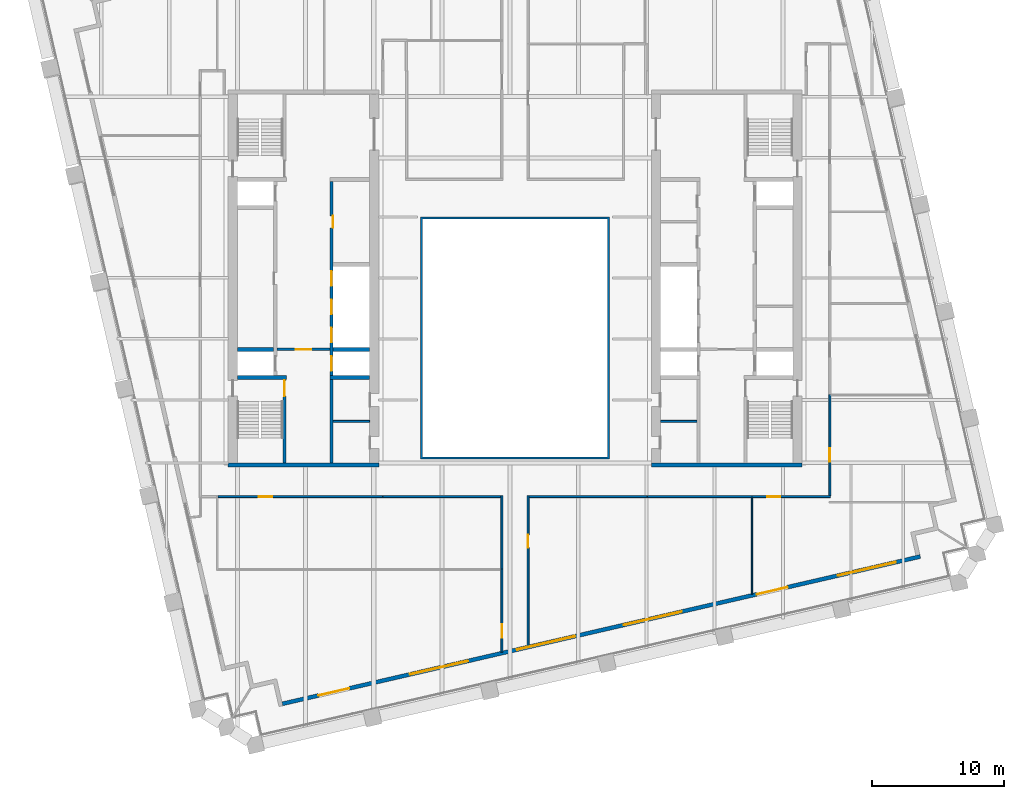
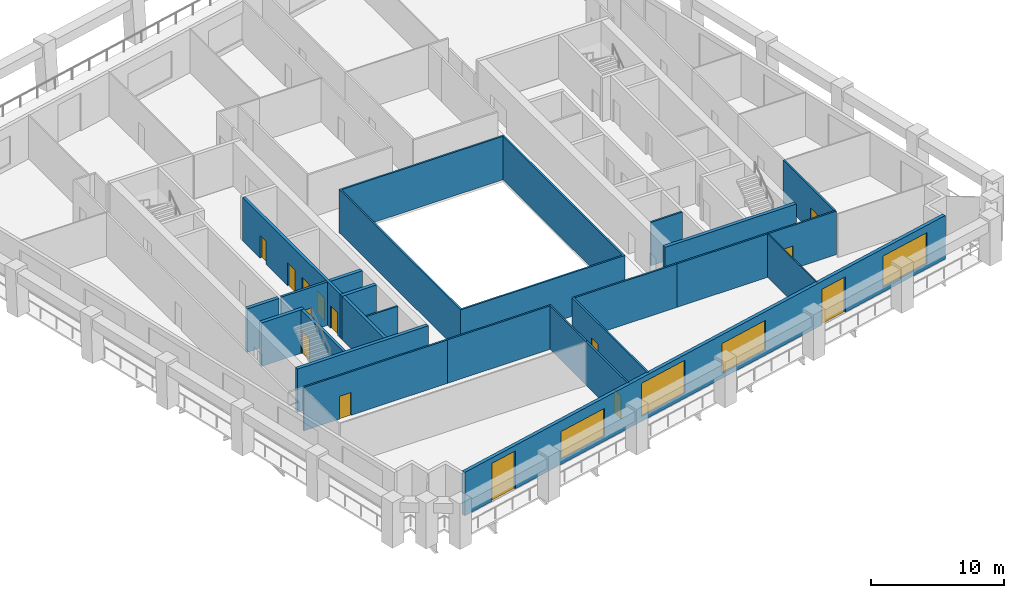
# One storey, part 4 of 10: 23 walls, 14 doors, 4 windows, 18 openings.
"""IFC4 building model written with IfcOpenShell, lengths in metres."""

from ifc_helpers import new_model, si_unit, direction, frame, frame_2d, origin, place, context, subcontext, project, spatial, polyline, rectangle, outline, extrude, material, layer, layer_set, type_object, element, fill, save


model = new_model("IFC4")

# Units and contexts
model_context = context("Model", 3, precision=1e-05, world=origin(), true_north=direction((0.0, 1.0)))
body_context = subcontext(model_context, "Body", "Model", "MODEL_VIEW")
ifc_project = project(units=[si_unit("LENGTHUNIT", "METRE"), si_unit("AREAUNIT", "SQUARE_METRE"), si_unit("VOLUMEUNIT", "CUBIC_METRE"), si_unit("PLANEANGLEUNIT", "RADIAN"), si_unit("MASSUNIT", "GRAM", prefix="KILO")], contexts=[model_context])

# Site, building, storey
site_placement = place(None, origin())
site = spatial("IfcSite", under=ifc_project, at=site_placement, CompositionType="ELEMENT")
building_placement = place(site_placement, origin())
building = spatial("IfcBuilding", under=site, at=building_placement, Name="Ogive Exchange Tower", CompositionType="ELEMENT")
storey_placement = place(building_placement, frame((0.0, 0.0, 205.199951171875)))
storey = spatial("IfcBuildingStorey", under=building, at=storey_placement, Name="L45", CompositionType="ELEMENT", Elevation=205.199951171875)

# Walls
ifc_material_1 = material(Name="Gypsum board partition")
ifc_layer_1 = layer(ifc_material_1, 0.14990234375)
ifc_layer_set_1 = layer_set([ifc_layer_1], Name="Core room partition 150 gypsum")
wall_type_1 = type_object("IfcWallType", Name="Core room partition 150 gypsum", PredefinedType="PARTITIONING", material=ifc_layer_set_1)
for number, where, z_axis, x_axis, name in (
    (1, (-13.75, 0.699951171875, 0.0), (0.0, 0.0, 1.0), (1.0, 0.0, 0.0), "W south room partition"),
    (2, (11.0, 0.699951171875, 0.0), (0.0, 0.0, 1.0), (1.0, 0.0, 0.0), "E south room partition"),
):
    element("IfcWall", number, at=place(storey_placement, frame(where, z_axis=z_axis, x_axis=x_axis)), inside=storey, type_object=wall_type_1, Name=name, PredefinedType="PARTITIONING", context=body_context, shape_type="SweptSolid", body=[
        extrude(rectangle(XDim=2.75, YDim=0.14990234375, at=frame_2d((1.375, 0.0))), origin(), (0.0, 0.0, 1.0), 4.0),
    ])

# Wall, opening, door
ifc_material_2 = material(Name="Fire partition EI 60 150")
ifc_layer_2 = layer(ifc_material_2, 0.14990234375)
ifc_layer_set_2 = layer_set([ifc_layer_2], Name="Fire partition EI 60 150")
wall_type_2 = type_object("IfcWallType", Name="Fire partition EI 60 150", PredefinedType="PARTITIONING", material=ifc_layer_set_2)
wall_1_placement = place(storey_placement, frame((-10.0, -5.0, 0.0), z_axis=(0.0, 0.0, 1.0), x_axis=(-1.0, 0.0, 0.0)))
wall_1 = element("IfcWall", 3, at=wall_1_placement, inside=storey, type_object=wall_type_2, Name="L45-PWL-013", PredefinedType="PARTITIONING", context=body_context, shape_type="SweptSolid", body=[
    extrude(rectangle(XDim=12.469970703125, YDim=0.14990234375, at=frame_2d((6.23486328125, 0.0))), origin(), (0.0, 0.0, 1.0), 4.0),
])
opening_1_placement = place(wall_1_placement, frame((8.3701171875, 0.0, 0.0)))
opening_1 = element("IfcOpeningElement", 4, at=opening_1_placement, cuts=wall_1, Name="Opening L45-I07", PredefinedType="OPENING", context=body_context, shape_type="SweptSolid", body=[
    extrude(rectangle(XDim=1.0, YDim=2.10009765625, at=frame_2d((0.5, 1.050048828125))), frame((0.0, 0.0849609375, 0.0), z_axis=(0.0, -1.0, 0.0), x_axis=(1.0, 0.0, 0.0)), (0.0, 0.0, 1.0), 0.169921875),
])
ifc_material_3 = material(Name="Fire door FD 30S 1000 x 2100")
door_type_1 = type_object("IfcDoorType", Name="Fire door FD 30S 1000 x 2100", OperationType="NOTDEFINED", PredefinedType="DOOR", material=ifc_material_3)
door_1_placement = place(opening_1_placement, origin())
door_1 = element("IfcDoor", 5, at=door_1_placement, inside=storey, type_object=door_type_1, Name="L45-IDR-007", ObjectType="DT3", OperationType="SINGLE_SWING_LEFT", OverallHeight=2.10009765625, OverallWidth=1.0, PredefinedType="DOOR", context=body_context, shape_type="SweptSolid", body=[
    extrude(rectangle(XDim=1.0, YDim=2.10009765625, at=frame_2d((0.5, 1.050048828125))), frame((0.0, 0.02490234375, 0.0), z_axis=(0.0, -1.0, 0.0), x_axis=(1.0, 0.0, 0.0)), (0.0, 0.0, 1.0), 0.050048828125),
])
fill(opening_1, door_1)

wall_2_placement = place(storey_placement, frame((-0.989990234375, -16.7529296875, 0.0), z_axis=(0.0, 0.0, 1.0), x_axis=(0.0, 1.0, 0.0)))
wall_2 = element("IfcWall", 6, at=wall_2_placement, inside=storey, type_object=wall_type_2, Name="L45-PWL-023", PredefinedType="PARTITIONING", context=body_context, shape_type="SweptSolid", body=[
    extrude(rectangle(XDim=6.302978515625, YDim=0.14990234375, at=frame_2d((3.1513671875, 0.0))), origin(), (0.0, 0.0, 1.0), 4.0),
])
opening_2_placement = place(wall_2_placement, frame((1.10302734375, 0.0, 0.0)))
opening_2 = element("IfcOpeningElement", 7, at=opening_2_placement, cuts=wall_2, Name="Opening L45-I08", PredefinedType="OPENING", context=body_context, shape_type="SweptSolid", body=[
    extrude(rectangle(XDim=1.0, YDim=2.10009765625, at=frame_2d((0.5, 1.050048828125))), frame((0.0, 0.0849609375, 0.0), z_axis=(0.0, -1.0, 0.0), x_axis=(1.0, 0.0, 0.0)), (0.0, 0.0, 1.0), 0.169921875),
])
door_2_placement = place(opening_2_placement, origin())
door_2 = element("IfcDoor", 8, at=door_2_placement, inside=storey, type_object=door_type_1, Name="L45-IDR-008", ObjectType="DT3", OperationType="SINGLE_SWING_RIGHT", OverallHeight=2.10009765625, OverallWidth=1.0, PredefinedType="DOOR", context=body_context, shape_type="SweptSolid", body=[
    extrude(rectangle(XDim=1.0, YDim=2.10009765625, at=frame_2d((0.5, 1.050048828125))), frame((0.0, 0.02490234375, 0.0), z_axis=(0.0, -1.0, 0.0), x_axis=(1.0, 0.0, 0.0)), (0.0, 0.0, 1.0), 0.050048828125),
])
fill(opening_2, door_2)

# Walls
wall_3_placement = place(storey_placement, frame((-0.989990234375, -10.449951171875, 0.0), z_axis=(0.0, 0.0, 1.0), x_axis=(0.0, 1.0, 0.0)))
element("IfcWall", 9, at=wall_3_placement, inside=storey, type_object=wall_type_2, Name="L45-PWL-025", PredefinedType="PARTITIONING", context=body_context, shape_type="SweptSolid", body=[
    extrude(rectangle(XDim=5.52490234375, YDim=0.14990234375, at=frame_2d((2.762451171875, 0.0))), origin(), (0.0, 0.0, 1.0), 4.0),
])
wall_4_placement = place(storey_placement, frame((-1.06494140625, -5.0, 0.0), z_axis=(0.0, 0.0, 1.0), x_axis=(-1.0, 0.0, 0.0)))
element("IfcWall", 10, at=wall_4_placement, inside=storey, type_object=wall_type_2, Name="L45-PWL-026", PredefinedType="PARTITIONING", context=body_context, shape_type="SweptSolid", body=[
    extrude(rectangle(XDim=8.93505859375, YDim=0.14990234375, at=frame_2d((4.467529296875, 0.0))), origin(), (0.0, 0.0, 1.0), 4.0),
])

# Wall, opening, door
wall_5_placement = place(storey_placement, frame((0.989990234375, -4.925048828125, 0.0), z_axis=(0.0, 0.0, 1.0), x_axis=(0.0, -1.0, 0.0)))
wall_5 = element("IfcWall", 11, at=wall_5_placement, inside=storey, type_object=wall_type_2, Name="L45-PWL-029", PredefinedType="PARTITIONING", context=body_context, shape_type="SweptSolid", body=[
    extrude(rectangle(XDim=11.370849609375, YDim=0.14990234375, at=frame_2d((5.685546875, 0.0))), origin(), (0.0, 0.0, 1.0), 4.0),
])
opening_3_placement = place(wall_5_placement, frame((2.945068359375, 0.0, 0.0)))
opening_3 = element("IfcOpeningElement", 12, at=opening_3_placement, cuts=wall_5, Name="Opening L45-I12", PredefinedType="OPENING", context=body_context, shape_type="SweptSolid", body=[
    extrude(rectangle(XDim=1.0, YDim=2.10009765625, at=frame_2d((0.5, 1.050048828125))), frame((0.0, 0.0849609375, 0.0), z_axis=(0.0, -1.0, 0.0), x_axis=(1.0, 0.0, 0.0)), (0.0, 0.0, 1.0), 0.169921875),
])
door_3_placement = place(opening_3_placement, origin())
door_3 = element("IfcDoor", 13, at=door_3_placement, inside=storey, type_object=door_type_1, Name="L45-IDR-012", ObjectType="DT3", OperationType="SINGLE_SWING_RIGHT", OverallHeight=2.10009765625, OverallWidth=1.0, PredefinedType="DOOR", context=body_context, shape_type="SweptSolid", body=[
    extrude(rectangle(XDim=1.0, YDim=2.10009765625, at=frame_2d((0.5, 1.050048828125))), frame((0.0, 0.02490234375, 0.0), z_axis=(0.0, -1.0, 0.0), x_axis=(1.0, 0.0, 0.0)), (0.0, 0.0, 1.0), 0.050048828125),
])
fill(opening_3, door_3)

# Walls
wall_6_placement = place(storey_placement, frame((10.0, -5.0, 0.0), z_axis=(0.0, 0.0, 1.0), x_axis=(-1.0, 0.0, 0.0)))
element("IfcWall", 14, at=wall_6_placement, inside=storey, type_object=wall_type_2, Name="L45-PWL-039", PredefinedType="PARTITIONING", context=body_context, shape_type="SweptSolid", body=[
    extrude(rectangle(XDim=8.93505859375, YDim=0.14990234375, at=frame_2d((4.467529296875, 0.0))), origin(), (0.0, 0.0, 1.0), 4.0),
])
wall_7_placement = place(storey_placement, frame((17.969970703125, -5.0, 0.0), z_axis=(0.0, 0.0, 1.0), x_axis=(-1.0, 0.0, 0.0)))
element("IfcWall", 15, at=wall_7_placement, inside=storey, type_object=wall_type_2, Name="L45-PWL-041", PredefinedType="PARTITIONING", context=body_context, shape_type="SweptSolid", body=[
    extrude(rectangle(XDim=7.969970703125, YDim=0.14990234375, at=frame_2d((3.98486328125, 0.0))), origin(), (0.0, 0.0, 1.0), 4.0),
])

# Wall, opening, door
wall_8_placement = place(storey_placement, frame((23.840087890625, -5.0, 0.0), z_axis=(0.0, 0.0, 1.0), x_axis=(-1.0, 0.0, 0.0)))
wall_8 = element("IfcWall", 16, at=wall_8_placement, inside=storey, type_object=wall_type_2, Name="L45-PWL-047", PredefinedType="PARTITIONING", context=body_context, shape_type="SweptSolid", body=[
    extrude(rectangle(XDim=5.920166015625, YDim=0.14990234375, at=frame_2d((2.9599609375, 0.0))), origin(), (0.0, 0.0, 1.0), 4.0),
])
opening_4_placement = place(wall_8_placement, frame((3.77001953125, 0.0, 0.0)))
opening_4 = element("IfcOpeningElement", 17, at=opening_4_placement, cuts=wall_8, Name="Opening L45-I13", PredefinedType="OPENING", context=body_context, shape_type="SweptSolid", body=[
    extrude(rectangle(XDim=1.0, YDim=2.10009765625, at=frame_2d((0.5, 1.050048828125))), frame((0.0, 0.0849609375, 0.0), z_axis=(0.0, -1.0, 0.0), x_axis=(1.0, 0.0, 0.0)), (0.0, 0.0, 1.0), 0.169921875),
])
door_4_placement = place(opening_4_placement, origin())
door_4 = element("IfcDoor", 18, at=door_4_placement, inside=storey, type_object=door_type_1, Name="L45-IDR-013", ObjectType="DT3", OperationType="SINGLE_SWING_LEFT", OverallHeight=2.10009765625, OverallWidth=1.0, PredefinedType="DOOR", context=body_context, shape_type="SweptSolid", body=[
    extrude(rectangle(XDim=1.0, YDim=2.10009765625, at=frame_2d((0.5, 1.050048828125))), frame((0.0, 0.02490234375, 0.0), z_axis=(0.0, -1.0, 0.0), x_axis=(1.0, 0.0, 0.0)), (0.0, 0.0, 1.0), 0.050048828125),
])
fill(opening_4, door_4)

wall_9_placement = place(storey_placement, frame((23.800048828125, 2.739990234375, 0.0), z_axis=(0.0, 0.0, 1.0), x_axis=(0.0, -1.0, 0.0)))
wall_9 = element("IfcWall", 19, at=wall_9_placement, inside=storey, type_object=wall_type_2, Name="L45-PWL-050", PredefinedType="PARTITIONING", context=body_context, shape_type="SweptSolid", body=[
    extrude(rectangle(XDim=7.6650390625, YDim=0.14990234375, at=frame_2d((3.83251953125, 0.0))), origin(), (0.0, 0.0, 1.0), 4.0),
])
opening_5_placement = place(wall_9_placement, frame((4.090087890625, 0.0, 0.0)))
opening_5 = element("IfcOpeningElement", 20, at=opening_5_placement, cuts=wall_9, Name="Opening L45-I15", PredefinedType="OPENING", context=body_context, shape_type="SweptSolid", body=[
    extrude(rectangle(XDim=1.0, YDim=2.10009765625, at=frame_2d((0.5, 1.050048828125))), frame((0.0, 0.0849609375, 0.0), z_axis=(0.0, -1.0, 0.0), x_axis=(1.0, 0.0, 0.0)), (0.0, 0.0, 1.0), 0.169921875),
])
door_5_placement = place(opening_5_placement, origin())
door_5 = element("IfcDoor", 21, at=door_5_placement, inside=storey, type_object=door_type_1, Name="L45-IDR-015", ObjectType="DT3", OperationType="SINGLE_SWING_LEFT", OverallHeight=2.10009765625, OverallWidth=1.0, PredefinedType="DOOR", context=body_context, shape_type="SweptSolid", body=[
    extrude(rectangle(XDim=1.0, YDim=2.10009765625, at=frame_2d((0.5, 1.050048828125))), frame((0.0, 0.02490234375, 0.0), z_axis=(0.0, -1.0, 0.0), x_axis=(1.0, 0.0, 0.0)), (0.0, 0.0, 1.0), 0.050048828125),
])
fill(opening_5, door_5)

# Wall
ifc_material_4 = material(Name="Fire-resisting glass in steel frame", Category="steel")
ifc_layer_3 = layer(ifc_material_4, 0.14990234375)
ifc_layer_set_3 = layer_set([ifc_layer_3], Name="Fire-rated glazed wall 150")
wall_type_3 = type_object("IfcWallType", Name="Fire-rated glazed wall 150", PredefinedType="STANDARD", material=ifc_layer_set_3)
wall_10_placement = place(storey_placement, origin())
element("IfcWall", 22, at=wall_10_placement, inside=storey, type_object=wall_type_3, Name="Nave enclosure wall", PredefinedType="STANDARD", context=body_context, shape_type="SweptSolid", body=[
    extrude(outline(polyline([(-7.14990234375, -2.14990234375), (7.14990234375, -2.14990234375), (7.14990234375, 16.14990234375), (-7.14990234375, 16.14990234375), (-7.14990234375, -2.14990234375)]), holes=[polyline([(-7.0, -2.0), (-7.0, 16.0), (7.0, 16.0), (7.0, -2.0), (-7.0, -2.0)])]), origin(), (0.0, 0.0, 1.0), 4.0),
])

# Wall, openings, doors, windows
ifc_material_5 = material(Name="Precast concrete C40/50", Category="concrete")
ifc_layer_4 = layer(ifc_material_5, 0.300048828125)
ifc_layer_set_4 = layer_set([ifc_layer_4], Name="Limestone-faced wall 300")
wall_type_4 = type_object("IfcWallType", Name="Limestone-faced wall 300", PredefinedType="STANDARD", material=ifc_layer_set_4)
wall_11_placement = place(storey_placement, frame((-17.592041015625, -20.6572265625, 0.0), z_axis=(0.0, 0.0, 1.0), x_axis=(0.974370243697, 0.224950279389, 0.0)))
wall_11 = element("IfcWall", 23, at=wall_11_placement, inside=storey, type_object=wall_type_4, Name="External wall S1", PredefinedType="STANDARD", context=body_context, shape_type="SweptSolid", body=[
    extrude(rectangle(XDim=49.499755859375, YDim=0.300048828125, at=frame_2d((24.75, 0.0))), origin(), (0.0, 0.0, 1.0), 4.0),
])
opening_6_placement = place(wall_11_placement, frame((2.800048828125, 0.0, 0.0)))
opening_6 = element("IfcOpeningElement", 24, at=opening_6_placement, cuts=wall_11, Name="Opening D1", PredefinedType="OPENING", context=body_context, shape_type="SweptSolid", body=[
    extrude(rectangle(XDim=2.39990234375, YDim=3.5, at=frame_2d((1.199951171875, 1.75))), frame((0.0, 0.159912109375, 0.0), z_axis=(0.0, -1.0, 0.0), x_axis=(1.0, 0.0, 0.0)), (0.0, 0.0, 1.0), 0.320068359375),
])
opening_7_placement = place(wall_11_placement, frame((9.89990234375, 0.0, 0.449951171875)))
opening_7 = element("IfcOpeningElement", 25, at=opening_7_placement, cuts=wall_11, Name="Opening W1M", PredefinedType="OPENING", context=body_context, shape_type="SweptSolid", body=[
    extrude(rectangle(XDim=4.5, YDim=2.574951171875, at=frame_2d((2.25, 1.28759765625))), frame((0.0, 0.159912109375, 0.0), z_axis=(0.0, -1.0, 0.0), x_axis=(1.0, 0.0, 0.0)), (0.0, 0.0, 1.0), 0.320068359375),
])
opening_8_placement = place(wall_11_placement, frame((18.199951171875, 0.0, 0.449951171875)))
opening_8 = element("IfcOpeningElement", 26, at=opening_8_placement, cuts=wall_11, Name="Opening W1", PredefinedType="OPENING", context=body_context, shape_type="SweptSolid", body=[
    extrude(rectangle(XDim=4.5, YDim=3.050048828125, at=frame_2d((2.25, 1.52490234375))), frame((0.0, 0.159912109375, 0.0), z_axis=(0.0, -1.0, 0.0), x_axis=(1.0, 0.0, 0.0)), (0.0, 0.0, 1.0), 0.320068359375),
])
opening_9_placement = place(wall_11_placement, frame((26.5, 0.0, 0.449951171875)))
opening_9 = element("IfcOpeningElement", 27, at=opening_9_placement, cuts=wall_11, Name="Opening W1H", PredefinedType="OPENING", context=body_context, shape_type="SweptSolid", body=[
    extrude(rectangle(XDim=4.5, YDim=2.75, at=frame_2d((2.25, 1.375))), frame((0.0, 0.159912109375, 0.0), z_axis=(0.0, -1.0, 0.0), x_axis=(1.0, 0.0, 0.0)), (0.0, 0.0, 1.0), 0.320068359375),
])
opening_10_placement = place(wall_11_placement, frame((36.800048828125, 0.0, 0.0)))
opening_10 = element("IfcOpeningElement", 28, at=opening_10_placement, cuts=wall_11, Name="Opening D1E", PredefinedType="OPENING", context=body_context, shape_type="SweptSolid", body=[
    extrude(rectangle(XDim=2.39990234375, YDim=3.27490234375, at=frame_2d((1.199951171875, 1.637451171875))), frame((0.0, 0.159912109375, 0.0), z_axis=(0.0, -1.0, 0.0), x_axis=(1.0, 0.0, 0.0)), (0.0, 0.0, 1.0), 0.320068359375),
])
opening_11_placement = place(wall_11_placement, frame((43.10009765625, 0.0, 0.449951171875)))
opening_11 = element("IfcOpeningElement", 29, at=opening_11_placement, cuts=wall_11, Name="Opening W1D", PredefinedType="OPENING", context=body_context, shape_type="SweptSolid", body=[
    extrude(rectangle(XDim=4.5, YDim=2.875, at=frame_2d((2.25, 1.4375))), frame((0.0, 0.159912109375, 0.0), z_axis=(0.0, -1.0, 0.0), x_axis=(1.0, 0.0, 0.0)), (0.0, 0.0, 1.0), 0.320068359375),
])
ifc_material_6 = material(Name="Clear glass in bronze frame", Category="glass")
door_type_2 = type_object("IfcDoorType", Name="Sliding loggia door 2400 x 3275", OperationType="DOUBLE_DOOR_SLIDING", PredefinedType="DOOR", material=ifc_material_6)
door_6_placement = place(opening_10_placement, origin())
door_6 = element("IfcDoor", 30, at=door_6_placement, inside=storey, type_object=door_type_2, Name="Loggia door S04", OperationType="DOUBLE_DOOR_SLIDING", OverallHeight=3.27490234375, OverallWidth=2.39990234375, PredefinedType="DOOR", context=body_context, shape_type="SweptSolid", body=[
    extrude(rectangle(XDim=2.39990234375, YDim=3.27490234375, at=frame_2d((1.199951171875, 1.637451171875))), frame((0.0, 0.02490234375, 0.0), z_axis=(0.0, -1.0, 0.0), x_axis=(1.0, 0.0, 0.0)), (0.0, 0.0, 1.0), 0.050048828125),
])
fill(opening_10, door_6)
door_type_3 = type_object("IfcDoorType", Name="Sliding loggia door 2400 x 3500", OperationType="DOUBLE_DOOR_SLIDING", PredefinedType="DOOR", material=ifc_material_6)
door_7_placement = place(opening_6_placement, origin())
door_7 = element("IfcDoor", 31, at=door_7_placement, inside=storey, type_object=door_type_3, Name="Loggia door S00", OperationType="DOUBLE_DOOR_SLIDING", OverallHeight=3.5, OverallWidth=2.39990234375, PredefinedType="DOOR", context=body_context, shape_type="SweptSolid", body=[
    extrude(rectangle(XDim=2.39990234375, YDim=3.5, at=frame_2d((1.199951171875, 1.75))), frame((0.0, 0.02490234375, 0.0), z_axis=(0.0, -1.0, 0.0), x_axis=(1.0, 0.0, 0.0)), (0.0, 0.0, 1.0), 0.050048828125),
])
fill(opening_6, door_7)
window_type_1 = type_object("IfcWindowType", Name="Twin lancet window 4500 x 2575", PartitioningType="DOUBLE_PANEL_VERTICAL", PredefinedType="WINDOW", material=ifc_material_6)
window_1_placement = place(opening_7_placement, origin())
window_1 = element("IfcWindow", 32, at=window_1_placement, inside=storey, type_object=window_type_1, Name="Window S01", OverallHeight=2.574951171875, OverallWidth=4.5, PartitioningType="DOUBLE_PANEL_VERTICAL", PredefinedType="WINDOW", context=body_context, shape_type="SweptSolid", body=[
    extrude(rectangle(XDim=4.5, YDim=2.574951171875, at=frame_2d((2.25, 1.28759765625))), frame((0.0, 0.030029296875, 0.0), z_axis=(0.0, -1.0, 0.0), x_axis=(1.0, 0.0, 0.0)), (0.0, 0.0, 1.0), 0.06005859375),
])
fill(opening_7, window_1)
window_type_2 = type_object("IfcWindowType", Name="Twin lancet window 4500 x 2750", PartitioningType="DOUBLE_PANEL_VERTICAL", PredefinedType="WINDOW", material=ifc_material_6)
window_2_placement = place(opening_9_placement, origin())
window_2 = element("IfcWindow", 33, at=window_2_placement, inside=storey, type_object=window_type_2, Name="Window S03", OverallHeight=2.75, OverallWidth=4.5, PartitioningType="DOUBLE_PANEL_VERTICAL", PredefinedType="WINDOW", context=body_context, shape_type="SweptSolid", body=[
    extrude(rectangle(XDim=4.5, YDim=2.75, at=frame_2d((2.25, 1.375))), frame((0.0, 0.030029296875, 0.0), z_axis=(0.0, -1.0, 0.0), x_axis=(1.0, 0.0, 0.0)), (0.0, 0.0, 1.0), 0.06005859375),
])
fill(opening_9, window_2)
window_type_3 = type_object("IfcWindowType", Name="Twin lancet window 4500 x 2875", PartitioningType="DOUBLE_PANEL_VERTICAL", PredefinedType="WINDOW", material=ifc_material_6)
window_3_placement = place(opening_11_placement, origin())
window_3 = element("IfcWindow", 34, at=window_3_placement, inside=storey, type_object=window_type_3, Name="Window S05", OverallHeight=2.875, OverallWidth=4.5, PartitioningType="DOUBLE_PANEL_VERTICAL", PredefinedType="WINDOW", context=body_context, shape_type="SweptSolid", body=[
    extrude(rectangle(XDim=4.5, YDim=2.875, at=frame_2d((2.25, 1.4375))), frame((0.0, 0.030029296875, 0.0), z_axis=(0.0, -1.0, 0.0), x_axis=(1.0, 0.0, 0.0)), (0.0, 0.0, 1.0), 0.06005859375),
])
fill(opening_11, window_3)
window_type_4 = type_object("IfcWindowType", Name="Twin lancet window 4500 x 3050", PartitioningType="DOUBLE_PANEL_VERTICAL", PredefinedType="WINDOW", material=ifc_material_6)
window_4_placement = place(opening_8_placement, origin())
window_4 = element("IfcWindow", 35, at=window_4_placement, inside=storey, type_object=window_type_4, Name="Window S02", OverallHeight=3.050048828125, OverallWidth=4.5, PartitioningType="DOUBLE_PANEL_VERTICAL", PredefinedType="WINDOW", context=body_context, shape_type="SweptSolid", body=[
    extrude(rectangle(XDim=4.5, YDim=3.050048828125, at=frame_2d((2.25, 1.52490234375))), frame((0.0, 0.030029296875, 0.0), z_axis=(0.0, -1.0, 0.0), x_axis=(1.0, 0.0, 0.0)), (0.0, 0.0, 1.0), 0.06005859375),
])
fill(opening_8, window_4)

# Wall
ifc_material_7 = material(Name="Partition 100 gypsum")
ifc_layer_5 = layer(ifc_material_7, 0.10009765625)
ifc_layer_set_5 = layer_set([ifc_layer_5], Name="Partition 100 gypsum")
wall_type_5 = type_object("IfcWallType", Name="Partition 100 gypsum", PredefinedType="PARTITIONING", material=ifc_layer_set_5)
wall_12_placement = place(storey_placement, frame((17.919921875, -5.074951171875, 0.0), z_axis=(0.0, 0.0, 1.0), x_axis=(0.0, -1.0, 0.0)))
element("IfcWall", 36, at=wall_12_placement, inside=storey, type_object=wall_type_5, Name="L45-PWL-042", PredefinedType="PARTITIONING", context=body_context, shape_type="SweptSolid", body=[
    extrude(rectangle(XDim=7.31201171875, YDim=0.10009765625, at=frame_2d((3.656005859375, 0.0))), origin(), (0.0, 0.0, 1.0), 4.0),
])

# Wall, opening, door
ifc_material_8 = material(Name="Concrete C70/85", Category="concrete")
ifc_layer_6 = layer(ifc_material_8, 0.199951171875)
ifc_layer_set_6 = layer_set([ifc_layer_6], Name="RC core wall 200 C70/85")
wall_type_6 = type_object("IfcWallType", Name="RC core wall 200 C70/85", PredefinedType="SHEAR", material=ifc_layer_set_6)
wall_13_placement = place(storey_placement, frame((-18.0, 6.142822265625, 0.0), z_axis=(0.0, 0.0, 1.0), x_axis=(1.0, 0.0, 0.0)))
wall_13 = element("IfcWall", 37, at=wall_13_placement, inside=storey, type_object=wall_type_6, Name="W firefighting lobby wall", PredefinedType="SHEAR", context=body_context, shape_type="SweptSolid", body=[
    extrude(rectangle(XDim=4.0, YDim=0.199951171875, at=frame_2d((2.0, 0.0))), origin(), (0.0, 0.0, 1.0), 4.0),
])
opening_12_placement = place(wall_13_placement, frame((1.39990234375, 0.0, 0.0)))
opening_12 = element("IfcOpeningElement", 38, at=opening_12_placement, cuts=wall_13, Name="Opening L45-C09", PredefinedType="OPENING", context=body_context, shape_type="SweptSolid", body=[
    extrude(rectangle(XDim=1.199951171875, YDim=2.10009765625, at=frame_2d((0.60009765625, 1.050048828125))), frame((0.0, 0.10986328125, 0.0), z_axis=(0.0, -1.0, 0.0), x_axis=(1.0, 0.0, 0.0)), (0.0, 0.0, 1.0), 0.219970703125),
])
ifc_material_9 = material(Name="Steel fire door", Category="steel")
door_type_4 = type_object("IfcDoorType", Name="Firefighting lobby door FD60 1200 x 2100", OperationType="NOTDEFINED", PredefinedType="DOOR", material=ifc_material_9)
door_8_placement = place(opening_12_placement, frame((1.199951171875, 0.0, 0.0), z_axis=(0.0, 0.0, 1.0), x_axis=(-1.0, 0.0, 0.0)))
door_8 = element("IfcDoor", 39, at=door_8_placement, inside=storey, type_object=door_type_4, Name="Firefighting lobby door", ObjectType="CD3", OperationType="SINGLE_SWING_RIGHT", OverallHeight=2.10009765625, OverallWidth=1.199951171875, PredefinedType="DOOR", context=body_context, shape_type="SweptSolid", body=[
    extrude(rectangle(XDim=1.199951171875, YDim=2.10009765625, at=frame_2d((0.60009765625, 1.050048828125))), frame((0.0, 0.02490234375, 0.0), z_axis=(0.0, -1.0, 0.0), x_axis=(1.0, 0.0, 0.0)), (0.0, 0.0, 1.0), 0.050048828125),
])
fill(opening_12, door_8)

ifc_layer_7 = layer(ifc_material_8, 0.25)
ifc_layer_set_7 = layer_set([ifc_layer_7], Name="RC core wall 250 C70/85")
wall_type_7 = type_object("IfcWallType", Name="RC core wall 250 C70/85", PredefinedType="SHEAR", material=ifc_layer_set_7)
wall_14_placement = place(storey_placement, frame((-17.425048828125, -2.449951171875, 0.0), z_axis=(0.0, 0.0, 1.0), x_axis=(0.0, 1.0, 0.0)))
wall_14 = element("IfcWall", 40, at=wall_14_placement, inside=storey, type_object=wall_type_7, Name="W stair S front wall", PredefinedType="SHEAR", context=body_context, shape_type="SweptSolid", body=[
    extrude(rectangle(XDim=6.300048828125, YDim=0.25, at=frame_2d((3.14990234375, 0.0))), origin(), (0.0, 0.0, 1.0), 4.0),
])
opening_13_placement = place(wall_14_placement, frame((5.050048828125, 0.0, 0.0)))
opening_13 = element("IfcOpeningElement", 41, at=opening_13_placement, cuts=wall_14, Name="Opening L45-C11", PredefinedType="OPENING", context=body_context, shape_type="SweptSolid", body=[
    extrude(rectangle(XDim=1.199951171875, YDim=2.10009765625, at=frame_2d((0.60009765625, 1.050048828125))), frame((0.0, 0.135009765625, 0.0), z_axis=(0.0, -1.0, 0.0), x_axis=(1.0, 0.0, 0.0)), (0.0, 0.0, 1.0), 0.27001953125),
])
door_type_5 = type_object("IfcDoorType", Name="Stair door FD90 1200 x 2100", OperationType="NOTDEFINED", PredefinedType="DOOR", material=ifc_material_9)
door_9_placement = place(opening_13_placement, origin())
door_9 = element("IfcDoor", 42, at=door_9_placement, inside=storey, type_object=door_type_5, Name="Stair door", ObjectType="CD5", OperationType="SINGLE_SWING_LEFT", OverallHeight=2.10009765625, OverallWidth=1.199951171875, PredefinedType="DOOR", context=body_context, shape_type="SweptSolid", body=[
    extrude(rectangle(XDim=1.199951171875, YDim=2.10009765625, at=frame_2d((0.60009765625, 1.050048828125))), frame((0.0, 0.02490234375, 0.0), z_axis=(0.0, -1.0, 0.0), x_axis=(1.0, 0.0, 0.0)), (0.0, 0.0, 1.0), 0.050048828125),
])
fill(opening_13, door_9)

# Wall, openings, doors
wall_15_placement = place(storey_placement, frame((-13.875, -2.449951171875, 0.0), z_axis=(0.0, 0.0, 1.0), x_axis=(0.0, 1.0, 0.0)))
wall_15 = element("IfcWall", 43, at=wall_15_placement, inside=storey, type_object=wall_type_7, Name="W row B front wall", PredefinedType="SHEAR", context=body_context, shape_type="SweptSolid", body=[
    extrude(rectangle(XDim=21.300048828125, YDim=0.25, at=frame_2d((10.64990234375, 0.0))), origin(), (0.0, 0.0, 1.0), 4.0),
])
opening_14_placement = place(wall_15_placement, frame((17.78564453125, 0.0, 0.0)))
opening_14 = element("IfcOpeningElement", 44, at=opening_14_placement, cuts=wall_15, Name="Opening L45-C04", PredefinedType="OPENING", context=body_context, shape_type="SweptSolid", body=[
    extrude(rectangle(XDim=0.89990234375, YDim=2.10009765625, at=frame_2d((0.449951171875, 1.050048828125))), frame((0.0, 0.135009765625, 0.0), z_axis=(0.0, -1.0, 0.0), x_axis=(1.0, 0.0, 0.0)), (0.0, 0.0, 1.0), 0.27001953125),
])
opening_15_placement = place(wall_15_placement, frame((6.971435546875, 0.0, 0.0)))
opening_15 = element("IfcOpeningElement", 45, at=opening_15_placement, cuts=wall_15, Name="Opening L45-C05", PredefinedType="OPENING", context=body_context, shape_type="SweptSolid", body=[
    extrude(rectangle(XDim=1.10009765625, YDim=2.10009765625, at=frame_2d((0.550048828125, 1.050048828125))), frame((0.0, 0.135009765625, 0.0), z_axis=(0.0, -1.0, 0.0), x_axis=(1.0, 0.0, 0.0)), (0.0, 0.0, 1.0), 0.27001953125),
])
opening_16_placement = place(wall_15_placement, frame((9.1142578125, 0.0, 0.0)))
opening_16 = element("IfcOpeningElement", 46, at=opening_16_placement, cuts=wall_15, Name="Opening L45-C06", PredefinedType="OPENING", context=body_context, shape_type="SweptSolid", body=[
    extrude(rectangle(XDim=1.10009765625, YDim=2.10009765625, at=frame_2d((0.550048828125, 1.050048828125))), frame((0.0, 0.135009765625, 0.0), z_axis=(0.0, -1.0, 0.0), x_axis=(1.0, 0.0, 0.0)), (0.0, 0.0, 1.0), 0.27001953125),
])
opening_17_placement = place(wall_15_placement, frame((11.257080078125, 0.0, 0.0)))
opening_17 = element("IfcOpeningElement", 47, at=opening_17_placement, cuts=wall_15, Name="Opening L45-C07", PredefinedType="OPENING", context=body_context, shape_type="SweptSolid", body=[
    extrude(rectangle(XDim=1.10009765625, YDim=2.10009765625, at=frame_2d((0.550048828125, 1.050048828125))), frame((0.0, 0.135009765625, 0.0), z_axis=(0.0, -1.0, 0.0), x_axis=(1.0, 0.0, 0.0)), (0.0, 0.0, 1.0), 0.27001953125),
])
opening_18_placement = place(wall_15_placement, frame((13.39990234375, 0.0, 0.0)))
opening_18 = element("IfcOpeningElement", 48, at=opening_18_placement, cuts=wall_15, Name="Opening L45-C08", PredefinedType="OPENING", context=body_context, shape_type="SweptSolid", body=[
    extrude(rectangle(XDim=1.10009765625, YDim=2.10009765625, at=frame_2d((0.550048828125, 1.050048828125))), frame((0.0, 0.135009765625, 0.0), z_axis=(0.0, -1.0, 0.0), x_axis=(1.0, 0.0, 0.0)), (0.0, 0.0, 1.0), 0.27001953125),
])
ifc_material_10 = material(Name="Stainless steel", Category="steel")
door_type_6 = type_object("IfcDoorType", Name="Lift landing door FD90 1100 x 2100", OperationType="SLIDING_TO_LEFT", PredefinedType="DOOR", material=ifc_material_10)
door_10_placement = place(opening_15_placement, origin())
door_10 = element("IfcDoor", 49, at=door_10_placement, inside=storey, type_object=door_type_6, Name="Lift landing door SV1", ObjectType="LD", OperationType="SLIDING_TO_LEFT", OverallHeight=2.10009765625, OverallWidth=1.10009765625, PredefinedType="DOOR", context=body_context, shape_type="SweptSolid", body=[
    extrude(rectangle(XDim=1.10009765625, YDim=2.10009765625, at=frame_2d((0.550048828125, 1.050048828125))), frame((0.0, 0.02490234375, 0.0), z_axis=(0.0, -1.0, 0.0), x_axis=(1.0, 0.0, 0.0)), (0.0, 0.0, 1.0), 0.050048828125),
])
fill(opening_15, door_10)
door_11_placement = place(opening_16_placement, origin())
door_11 = element("IfcDoor", 50, at=door_11_placement, inside=storey, type_object=door_type_6, Name="Lift landing door W-M1", ObjectType="LD", OperationType="SLIDING_TO_LEFT", OverallHeight=2.10009765625, OverallWidth=1.10009765625, PredefinedType="DOOR", context=body_context, shape_type="SweptSolid", body=[
    extrude(rectangle(XDim=1.10009765625, YDim=2.10009765625, at=frame_2d((0.550048828125, 1.050048828125))), frame((0.0, 0.02490234375, 0.0), z_axis=(0.0, -1.0, 0.0), x_axis=(1.0, 0.0, 0.0)), (0.0, 0.0, 1.0), 0.050048828125),
])
fill(opening_16, door_11)
door_12_placement = place(opening_17_placement, origin())
door_12 = element("IfcDoor", 51, at=door_12_placement, inside=storey, type_object=door_type_6, Name="Lift landing door W-M2", ObjectType="LD", OperationType="SLIDING_TO_LEFT", OverallHeight=2.10009765625, OverallWidth=1.10009765625, PredefinedType="DOOR", context=body_context, shape_type="SweptSolid", body=[
    extrude(rectangle(XDim=1.10009765625, YDim=2.10009765625, at=frame_2d((0.550048828125, 1.050048828125))), frame((0.0, 0.02490234375, 0.0), z_axis=(0.0, -1.0, 0.0), x_axis=(1.0, 0.0, 0.0)), (0.0, 0.0, 1.0), 0.050048828125),
])
fill(opening_17, door_12)
door_13_placement = place(opening_18_placement, origin())
door_13 = element("IfcDoor", 52, at=door_13_placement, inside=storey, type_object=door_type_6, Name="Lift landing door W-M3", ObjectType="LD", OperationType="SLIDING_TO_LEFT", OverallHeight=2.10009765625, OverallWidth=1.10009765625, PredefinedType="DOOR", context=body_context, shape_type="SweptSolid", body=[
    extrude(rectangle(XDim=1.10009765625, YDim=2.10009765625, at=frame_2d((0.550048828125, 1.050048828125))), frame((0.0, 0.02490234375, 0.0), z_axis=(0.0, -1.0, 0.0), x_axis=(1.0, 0.0, 0.0)), (0.0, 0.0, 1.0), 0.050048828125),
])
fill(opening_18, door_13)
door_type_7 = type_object("IfcDoorType", Name="Riser door FD60 900 x 2100", OperationType="NOTDEFINED", PredefinedType="DOOR", material=ifc_material_9)
door_14_placement = place(opening_14_placement, frame((0.89990234375, -0.2001953125, 0.0), z_axis=(0.0, 0.0, 1.0), x_axis=(-1.0, 0.0, 0.0)))
door_14 = element("IfcDoor", 53, at=door_14_placement, inside=storey, type_object=door_type_7, Name="Riser door", ObjectType="CD2", OperationType="SINGLE_SWING_LEFT", OverallHeight=2.10009765625, OverallWidth=0.89990234375, PredefinedType="DOOR", context=body_context, shape_type="SweptSolid", body=[
    extrude(rectangle(XDim=0.89990234375, YDim=2.10009765625, at=frame_2d((0.449951171875, 1.050048828125))), frame((0.0, -0.0751953125, 0.0), z_axis=(0.0, -1.0, 0.0), x_axis=(1.0, 0.0, 0.0)), (0.0, 0.0, 1.0), 0.050048828125),
])
fill(opening_14, door_14)

# Walls
ifc_layer_8 = layer(ifc_material_8, 0.300048828125)
ifc_layer_set_8 = layer_set([ifc_layer_8], Name="RC core wall 300 C70/85")
wall_type_8 = type_object("IfcWallType", Name="RC core wall 300 C70/85", PredefinedType="SHEAR", material=ifc_layer_set_8)
wall_16_placement = place(storey_placement, frame((-21.699951171875, -2.60009765625, 0.0), z_axis=(0.0, 0.0, 1.0), x_axis=(1.0, 0.0, 0.0)))
element("IfcWall", 54, at=wall_16_placement, inside=storey, type_object=wall_type_8, Name="W south end wall", PredefinedType="SHEAR", context=body_context, shape_type="SweptSolid", body=[
    extrude(rectangle(XDim=11.39990234375, YDim=0.300048828125, at=frame_2d((5.699951171875, 0.0))), origin(), (0.0, 0.0, 1.0), 4.0),
])
wall_17_placement = place(storey_placement, frame((-21.0, 4.0, 0.0), z_axis=(0.0, 0.0, 1.0), x_axis=(1.0, 0.0, 0.0)))
element("IfcWall", 55, at=wall_17_placement, inside=storey, type_object=wall_type_8, Name="W stair S north wall", PredefinedType="SHEAR", context=body_context, shape_type="SweptSolid", body=[
    extrude(rectangle(XDim=3.699951171875, YDim=0.300048828125, at=frame_2d((1.85009765625, 0.0))), origin(), (0.0, 0.0, 1.0), 4.0),
])
wall_18_placement = place(storey_placement, frame((-21.0, 6.142822265625, 0.0), z_axis=(0.0, 0.0, 1.0), x_axis=(1.0, 0.0, 0.0)))
element("IfcWall", 56, at=wall_18_placement, inside=storey, type_object=wall_type_8, Name="W row A divider 1", PredefinedType="SHEAR", context=body_context, shape_type="SweptSolid", body=[
    extrude(rectangle(XDim=2.75, YDim=0.300048828125, at=frame_2d((1.375, 0.0))), origin(), (0.0, 0.0, 1.0), 4.0),
])
wall_19_placement = place(storey_placement, frame((-14.0, 4.0, 0.0), z_axis=(0.0, 0.0, 1.0), x_axis=(1.0, 0.0, 0.0)))
element("IfcWall", 57, at=wall_19_placement, inside=storey, type_object=wall_type_8, Name="W row B divider 0", PredefinedType="SHEAR", context=body_context, shape_type="SweptSolid", body=[
    extrude(rectangle(XDim=3.0, YDim=0.300048828125, at=frame_2d((1.5, 0.0))), origin(), (0.0, 0.0, 1.0), 4.0),
])
wall_20_placement = place(storey_placement, frame((-13.75, 6.142822265625, 0.0), z_axis=(0.0, 0.0, 1.0), x_axis=(1.0, 0.0, 0.0)))
element("IfcWall", 58, at=wall_20_placement, inside=storey, type_object=wall_type_8, Name="W row B divider 1", PredefinedType="SHEAR", context=body_context, shape_type="SweptSolid", body=[
    extrude(rectangle(XDim=2.75, YDim=0.300048828125, at=frame_2d((1.375, 0.0))), origin(), (0.0, 0.0, 1.0), 4.0),
])
wall_21_placement = place(storey_placement, frame((10.300048828125, -2.60009765625, 0.0), z_axis=(0.0, 0.0, 1.0), x_axis=(1.0, 0.0, 0.0)))
element("IfcWall", 59, at=wall_21_placement, inside=storey, type_object=wall_type_8, Name="E south end wall", PredefinedType="SHEAR", context=body_context, shape_type="SweptSolid", body=[
    extrude(rectangle(XDim=11.39990234375, YDim=0.300048828125, at=frame_2d((5.699951171875, 0.0))), origin(), (0.0, 0.0, 1.0), 4.0),
])

save(model, "model.ifc")
